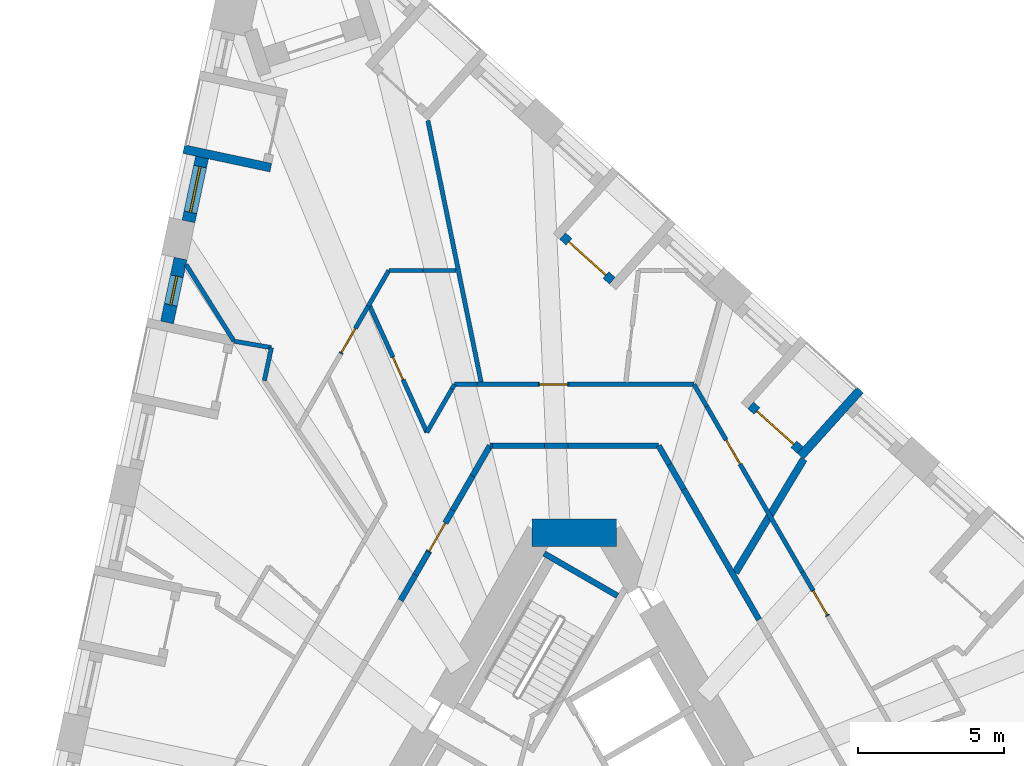
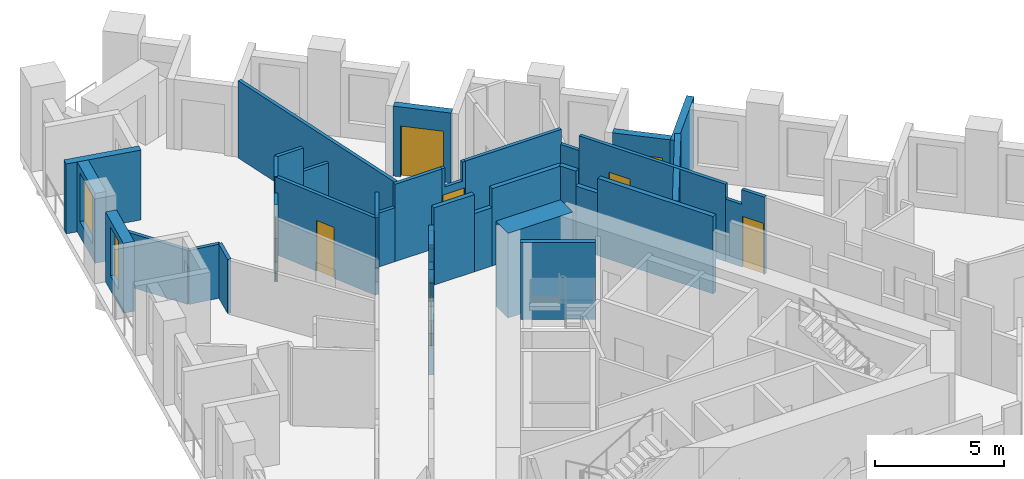
# One storey, part 8 of 13: 39 walls, 8 doors, 2 windows, 10 openings.
"""IFC4 building model written with IfcOpenShell, lengths in metres."""

from ifc_helpers import new_model, si_unit, direction, frame, frame_2d, origin, place, context, subcontext, project, spatial, polyline, rectangle, outline, extrude, material, layer, layer_set, type_object, element, fill, save


model = new_model("IFC4")

# Units and contexts
model_context = context("Model", 3, precision=1e-05, world=origin(), true_north=direction((0.0, 1.0)))
body_context = subcontext(model_context, "Body", "Model", "MODEL_VIEW")
ifc_project = project(units=[si_unit("LENGTHUNIT", "METRE"), si_unit("AREAUNIT", "SQUARE_METRE"), si_unit("VOLUMEUNIT", "CUBIC_METRE"), si_unit("PLANEANGLEUNIT", "RADIAN"), si_unit("MASSUNIT", "GRAM", prefix="KILO")], contexts=[model_context])

# Site, building, storey
site_placement = place(None, origin())
site = spatial("IfcSite", under=ifc_project, at=site_placement, CompositionType="ELEMENT")
building_placement = place(site_placement, origin())
building = spatial("IfcBuilding", under=site, at=building_placement, Name="Tramontana Tower", CompositionType="ELEMENT")
storey_placement = place(building_placement, frame((0.0, 0.0, 100.39990234375)))
storey = spatial("IfcBuildingStorey", under=building, at=storey_placement, Name="L22", CompositionType="ELEMENT", Elevation=100.39990234375)

# Walls
ifc_material_1 = material(Name="Concrete 70 MPa", Category="concrete")
ifc_layer_1 = layer(ifc_material_1, 0.949951171875)
ifc_layer_set_1 = layer_set([ifc_layer_1], Name="Core wall 950 70 MPa")
wall_type_1 = type_object("IfcWallType", Name="Core wall 950 70 MPa", PredefinedType="SHEAR", material=ifc_layer_set_1)
wall_1_placement = place(storey_placement, frame((1.443359375, 10.52490234375, 0.0), z_axis=(0.0, 0.0, 1.0), x_axis=(-1.0, 0.0, 0.0)))
element("IfcWall", 1, at=wall_1_placement, inside=storey, type_object=wall_type_1, Name="Core wall C0 L22", PredefinedType="SHEAR", context=body_context, shape_type="SweptSolid", body=[
    extrude(rectangle(XDim=2.88671875, YDim=0.949951171875, at=frame_2d((1.443359375, 0.0))), origin(), (0.0, 0.0, 1.0), 4.0),
])
ifc_material_2 = material(Name="Blockwork", Category="masonry")
ifc_layer_2 = layer(ifc_material_2, 0.199951171875)
ifc_layer_set_2 = layer_set([ifc_layer_2], Name="ENTRY WALL 200")
wall_type_2 = type_object("IfcWallType", Name="ENTRY WALL 200", PredefinedType="SOLIDWALL", material=ifc_layer_set_2)
wall_2_placement = place(storey_placement, frame((2.88671875, 13.5, 0.0), z_axis=(0.0, 0.0, 1.0), x_axis=(0.499987686533, -0.866032512851, 0.0)))
element("IfcWall", 2, at=wall_2_placement, inside=storey, type_object=wall_type_2, Name="Wall v21-ew0-0", PredefinedType="SOLIDWALL", context=body_context, shape_type="SweptSolid", body=[
    extrude(rectangle(XDim=0.74365234375, YDim=0.199951171875, at=frame_2d((0.371826171875, 0.0))), origin(), (0.0, 0.0, 1.0), 3.650146484375),
])
wall_3_placement = place(storey_placement, frame((3.258544921875, 12.85595703125, 0.0), z_axis=(0.0, 0.0, 1.0), x_axis=(0.500061185694, -0.865990075325, 0.0)))
element("IfcWall", 3, at=wall_3_placement, inside=storey, type_object=wall_type_2, Name="Wall v21-ew0-1", PredefinedType="SOLIDWALL", context=body_context, shape_type="SweptSolid", body=[
    extrude(rectangle(XDim=0.9775390625, YDim=0.199951171875, at=frame_2d((0.48876953125, 0.0))), origin(), (0.0, 0.0, 1.0), 2.9501953125),
])
wall_4_placement = place(storey_placement, frame((3.747314453125, 12.009521484375, 0.0), z_axis=(0.0, 0.0, 1.0), x_axis=(0.500001317485, -0.866024643133, 0.0)))
element("IfcWall", 4, at=wall_4_placement, inside=storey, type_object=wall_type_2, Name="Wall v21-ew0-2", PredefinedType="SOLIDWALL", context=body_context, shape_type="SweptSolid", body=[
    extrude(rectangle(XDim=5.1533203125, YDim=0.199951171875, at=frame_2d((2.57666015625, 0.0))), origin(), (0.0, 0.0, 1.0), 3.650146484375),
])
wall_5_placement = place(storey_placement, frame((-5.944091796875, 8.20458984375, 0.0), z_axis=(0.0, 0.0, 1.0), x_axis=(0.500051323872, 0.865995769906, 0.0)))
element("IfcWall", 5, at=wall_5_placement, inside=storey, type_object=wall_type_2, Name="Wall v21-ew4-7", PredefinedType="SOLIDWALL", context=body_context, shape_type="SweptSolid", body=[
    extrude(rectangle(XDim=1.0068359375, YDim=0.199951171875, at=frame_2d((0.50341796875, 0.0))), origin(), (0.0, 0.0, 1.0), 2.550048828125),
])
wall_6_placement = place(storey_placement, frame((-5.440673828125, 9.076416015625, 0.0), z_axis=(0.0, 0.0, 1.0), x_axis=(0.499902469156, 0.866081705922, 0.0)))
element("IfcWall", 6, at=wall_6_placement, inside=storey, type_object=wall_type_2, Name="Wall v21-ew4-8", PredefinedType="SOLIDWALL", context=body_context, shape_type="SweptSolid", body=[
    extrude(rectangle(XDim=0.900146484375, YDim=0.199951171875, at=frame_2d((0.4501953125, 0.0))), origin(), (0.0, 0.0, 1.0), 3.650146484375),
])

# Wall, opening, door
wall_7_placement = place(storey_placement, frame((-4.99072265625, 9.85595703125, 0.0), z_axis=(0.0, 0.0, 1.0), x_axis=(0.500088396166, 0.865974362219, 0.0)))
wall_7 = element("IfcWall", 7, at=wall_7_placement, inside=storey, type_object=wall_type_2, Name="Wall v21-ew4-9", PredefinedType="SOLIDWALL", context=body_context, shape_type="SweptSolid", body=[
    extrude(outline(polyline([(0.0, 0.0), (1.655517578125, 0.0), (1.655517578125, 2.550048828125), (0.519287109375, 2.550048828125), (0.519287109375, 3.650146484375), (0.0, 3.650146484375), (0.0, 0.0)])), frame((0.0, 0.10009765625, 0.0), z_axis=(0.0, -1.0, 0.0), x_axis=(1.0, 0.0, 0.0)), (0.0, 0.0, 1.0), 0.199951171875),
])
opening_1_placement = place(wall_7_placement, frame((0.050048828125, 0.0, 0.0)))
opening_1 = element("IfcOpeningElement", 8, at=opening_1_placement, cuts=wall_7, Name="Opening B2B-26", PredefinedType="OPENING", context=body_context, shape_type="SweptSolid", body=[
    extrude(rectangle(XDim=1.10009765625, YDim=2.39990234375, at=frame_2d((0.550048828125, 1.199951171875))), frame((0.0, 0.10986328125, 0.0), z_axis=(0.0, -1.0, 0.0), x_axis=(1.0, 0.0, 0.0)), (0.0, 0.0, 1.0), 0.219970703125),
])
ifc_material_3 = material(Name="Painted timber", Category="wood")
door_type_1 = type_object("IfcDoorType", Name="DOOR ENTRY 1100", OperationType="SINGLE_SWING_LEFT", PredefinedType="DOOR", material=ifc_material_3)
door_1_placement = place(opening_1_placement, origin())
door_1 = element("IfcDoor", 9, at=door_1_placement, inside=storey, type_object=door_type_1, Name="Door B2B-26", OperationType="SINGLE_SWING_RIGHT", OverallHeight=2.39990234375, OverallWidth=1.10009765625, PredefinedType="DOOR", context=body_context, shape_type="SweptSolid", body=[
    extrude(rectangle(XDim=1.10009765625, YDim=2.39990234375, at=frame_2d((0.550048828125, 1.199951171875))), frame((0.0, 0.02490234375, 0.0), z_axis=(0.0, -1.0, 0.0), x_axis=(1.0, 0.0, 0.0)), (0.0, 0.0, 1.0), 0.050048828125),
])
fill(opening_1, door_1)

# Walls
wall_8_placement = place(storey_placement, frame((-4.162841796875, 11.28955078125, 0.0), z_axis=(0.0, 0.0, 1.0), x_axis=(0.499903734186, 0.866080975745, 0.0)))
element("IfcWall", 10, at=wall_8_placement, inside=storey, type_object=wall_type_2, Name="Wall v21-ew4-10", PredefinedType="SOLIDWALL", context=body_context, shape_type="SweptSolid", body=[
    extrude(rectangle(XDim=1.360107421875, YDim=0.199951171875, at=frame_2d((0.68017578125, 0.0))), origin(), (0.0, 0.0, 1.0), 3.650146484375),
])
wall_9_placement = place(storey_placement, frame((-3.48291015625, 12.467529296875, 0.0), z_axis=(0.0, 0.0, 1.0), x_axis=(0.500059236744, 0.865991200733, 0.0)))
element("IfcWall", 11, at=wall_9_placement, inside=storey, type_object=wall_type_2, Name="Wall v21-ew4-11", PredefinedType="SOLIDWALL", context=body_context, shape_type="SweptSolid", body=[
    extrude(rectangle(XDim=1.192138671875, YDim=0.199951171875, at=frame_2d((0.59619140625, 0.0))), origin(), (0.0, 0.0, 1.0), 2.550048828125),
])
wall_10_placement = place(storey_placement, frame((-2.88671875, 13.5, 0.0), z_axis=(0.0, 0.0, 1.0), x_axis=(1.0, 0.0, 0.0)))
element("IfcWall", 12, at=wall_10_placement, inside=storey, type_object=wall_type_2, Name="Wall v21-ew5-0", PredefinedType="SOLIDWALL", context=body_context, shape_type="SweptSolid", body=[
    extrude(rectangle(XDim=0.079833984375, YDim=0.199951171875, at=frame_2d((0.0400390625, 0.0))), origin(), (0.0, 0.0, 1.0), 2.550048828125),
])
wall_11_placement = place(storey_placement, frame((-2.806884765625, 13.5, 0.0), z_axis=(0.0, 0.0, 1.0), x_axis=(1.0, 0.0, 0.0)))
element("IfcWall", 13, at=wall_11_placement, inside=storey, type_object=wall_type_2, Name="Wall v21-ew5-1", PredefinedType="SOLIDWALL", context=body_context, shape_type="SweptSolid", body=[
    extrude(rectangle(XDim=1.7880859375, YDim=0.199951171875, at=frame_2d((0.89404296875, 0.0))), origin(), (0.0, 0.0, 1.0), 3.650146484375),
])
wall_12_placement = place(storey_placement, frame((-1.018798828125, 13.5, 0.0), z_axis=(0.0, 0.0, 1.0), x_axis=(1.0, 0.0, 0.0)))
element("IfcWall", 14, at=wall_12_placement, inside=storey, type_object=wall_type_2, Name="Wall v21-ew5-2", PredefinedType="SOLIDWALL", context=body_context, shape_type="SweptSolid", body=[
    extrude(rectangle(XDim=0.80078125, YDim=0.199951171875, at=frame_2d((0.400390625, 0.0))), origin(), (0.0, 0.0, 1.0), 2.75),
])
wall_13_placement = place(storey_placement, frame((-0.218017578125, 13.5, 0.0), z_axis=(0.0, 0.0, 1.0), x_axis=(1.0, 0.0, 0.0)))
element("IfcWall", 15, at=wall_13_placement, inside=storey, type_object=wall_type_2, Name="Wall v21-ew5-3", PredefinedType="SOLIDWALL", context=body_context, shape_type="SweptSolid", body=[
    extrude(rectangle(XDim=3.104736328125, YDim=0.199951171875, at=frame_2d((1.55224609375, 0.0))), origin(), (0.0, 0.0, 1.0), 3.650146484375),
])

# Wall, opening, window
ifc_material_4 = material(Name="Precast concrete 60 MPa", Category="concrete")
ifc_layer_3 = layer(ifc_material_4, 0.449951171875)
ifc_layer_set_3 = layer_set([ifc_layer_3], Name="Precast concrete 60 MPa, 450 mm")
wall_type_3 = type_object("IfcWallType", Name="EW1 Stone-faced precast wall 450", PredefinedType="SOLIDWALL", material=ifc_layer_set_3)
wall_14_placement = place(storey_placement, frame((-12.7451171875, 23.36767578125, 0.0), z_axis=(0.0, 0.0, 1.0), x_axis=(-0.207941001029, -0.978141370197, 0.0)))
wall_14 = element("IfcWall", 16, at=wall_14_placement, inside=storey, type_object=wall_type_3, Name="External wall L22 face 0 bay 1", PredefinedType="SOLIDWALL", context=body_context, shape_type="SweptSolid", body=[
    extrude(rectangle(XDim=2.236572265625, YDim=0.449951171875, at=frame_2d((1.1181640625, 0.0))), origin(), (0.0, 0.0, 1.0), 3.300048828125),
])
opening_2_placement = place(wall_14_placement, frame((0.318359375, 0.0, 0.699951171875)))
opening_2 = element("IfcOpeningElement", 17, at=opening_2_placement, cuts=wall_14, Name="Opening M1", PredefinedType="OPENING", context=body_context, shape_type="SweptSolid", body=[
    extrude(rectangle(XDim=1.60009765625, YDim=2.300048828125, at=frame_2d((0.800048828125, 1.14990234375))), frame((0.0, 0.23486328125, 0.0), z_axis=(0.0, -1.0, 0.0), x_axis=(1.0, 0.0, 0.0)), (0.0, 0.0, 1.0), 0.469970703125),
])
ifc_material_5 = material(Name="Aluminum frame, double glazing unit", Category="aluminium")
window_type_1 = type_object("IfcWindowType", Name="M1 Window 1.6 x 2.3", PartitioningType="SINGLE_PANEL", PredefinedType="WINDOW", material=ifc_material_5)
window_1_placement = place(opening_2_placement, origin())
window_1 = element("IfcWindow", 18, at=window_1_placement, inside=storey, type_object=window_type_1, Name="Window M1 L22 face 0 module 3", OverallHeight=2.300048828125, OverallWidth=1.60009765625, PartitioningType="SINGLE_PANEL", PredefinedType="WINDOW", context=body_context, shape_type="SweptSolid", body=[
    extrude(rectangle(XDim=1.60009765625, YDim=2.300048828125, at=frame_2d((0.800048828125, 1.14990234375))), frame((0.0, 0.030029296875, 0.0), z_axis=(0.0, -1.0, 0.0), x_axis=(1.0, 0.0, 0.0)), (0.0, 0.0, 1.0), 0.06005859375),
])
fill(opening_2, window_1)

wall_15_placement = place(storey_placement, frame((-13.48046875, 19.908203125, 0.0), z_axis=(0.0, 0.0, 1.0), x_axis=(-0.207941001029, -0.978141370197, 0.0)))
wall_15 = element("IfcWall", 19, at=wall_15_placement, inside=storey, type_object=wall_type_3, Name="External wall L22 face 0 bay 2", PredefinedType="SOLIDWALL", context=body_context, shape_type="SweptSolid", body=[
    extrude(rectangle(XDim=2.236572265625, YDim=0.449951171875, at=frame_2d((1.1181640625, 0.0))), origin(), (0.0, 0.0, 1.0), 3.300048828125),
])
opening_3_placement = place(wall_15_placement, frame((0.618408203125, 0.0, 0.699951171875)))
opening_3 = element("IfcOpeningElement", 20, at=opening_3_placement, cuts=wall_15, Name="Opening N1", PredefinedType="OPENING", context=body_context, shape_type="SweptSolid", body=[
    extrude(rectangle(XDim=1.0, YDim=2.300048828125, at=frame_2d((0.5, 1.14990234375))), frame((0.0, 0.23486328125, 0.0), z_axis=(0.0, -1.0, 0.0), x_axis=(1.0, 0.0, 0.0)), (0.0, 0.0, 1.0), 0.469970703125),
])
ifc_material_6 = material(Name="Aluminum frame, double glazing unit", Category="aluminium")
window_type_2 = type_object("IfcWindowType", Name="N1 Window 1 x 2.3", PartitioningType="SINGLE_PANEL", PredefinedType="WINDOW", material=ifc_material_6)
window_2_placement = place(opening_3_placement, origin())
window_2 = element("IfcWindow", 21, at=window_2_placement, inside=storey, type_object=window_type_2, Name="Window N1 L22 face 0 module 4", OverallHeight=2.300048828125, OverallWidth=1.0, PartitioningType="SINGLE_PANEL", PredefinedType="WINDOW", context=body_context, shape_type="SweptSolid", body=[
    extrude(rectangle(XDim=1.0, YDim=2.300048828125, at=frame_2d((0.5, 1.14990234375))), frame((0.0, 0.030029296875, 0.0), z_axis=(0.0, -1.0, 0.0), x_axis=(1.0, 0.0, 0.0)), (0.0, 0.0, 1.0), 0.06005859375),
])
fill(opening_3, window_2)

# Wall
ifc_material_7 = material(Name="Precast concrete 60 MPa", Category="concrete")
ifc_layer_4 = layer(ifc_material_7, 0.300048828125)
ifc_layer_set_4 = layer_set([ifc_layer_4], Name="LW1 Stone-faced loggia wall 300")
wall_type_4 = type_object("IfcWallType", Name="LW1 Stone-faced loggia wall 300", PredefinedType="SOLIDWALL", material=ifc_layer_set_4)
wall_16_placement = place(storey_placement, frame((-13.3740234375, 23.65478515625, 0.0), z_axis=(0.0, 0.0, 1.0), x_axis=(0.978151322619, -0.207894179953, 0.0)))
element("IfcWall", 22, at=wall_16_placement, inside=storey, type_object=wall_type_4, Name="Loggia return L22 G2S0.1b", PredefinedType="SOLIDWALL", context=body_context, shape_type="SweptSolid", body=[
    extrude(rectangle(XDim=3.0498046875, YDim=0.300048828125, at=frame_2d((1.52490234375, 0.0))), origin(), (0.0, 0.0, 1.0), 3.300048828125),
])

# Wall, opening, door
wall_17_placement = place(storey_placement, frame((7.735595703125, 13.353759765625, 0.0), z_axis=(0.0, 0.0, 1.0), x_axis=(-0.743081759278, 0.669200641832, 0.0)))
wall_17 = element("IfcWall", 23, at=wall_17_placement, inside=storey, type_object=wall_type_4, Name="Loggia wall L22 G2S2.10", PredefinedType="SOLIDWALL", context=body_context, shape_type="SweptSolid", body=[
    extrude(rectangle(XDim=2.28662109375, YDim=0.300048828125, at=frame_2d((1.143310546875, 0.0))), origin(), (0.0, 0.0, 1.0), 3.300048828125),
])
opening_4_placement = place(wall_17_placement, frame((0.29345703125, 0.0, 0.0)))
opening_4 = element("IfcOpeningElement", 24, at=opening_4_placement, cuts=wall_17, Name="Opening BD-2S2-10", PredefinedType="OPENING", context=body_context, shape_type="SweptSolid", body=[
    extrude(rectangle(XDim=1.699951171875, YDim=2.39990234375, at=frame_2d((0.85009765625, 1.199951171875))), frame((0.0, 0.159912109375, 0.0), z_axis=(0.0, -1.0, 0.0), x_axis=(1.0, 0.0, 0.0)), (0.0, 0.0, 1.0), 0.320068359375),
])
ifc_material_8 = material(Name="Aluminum frame, double glazing unit", Category="aluminium")
door_type_2 = type_object("IfcDoorType", Name="BD1 Sliding door 1.7 x 2.4", OperationType="SLIDING_TO_LEFT", PredefinedType="DOOR", material=ifc_material_8)
door_2_placement = place(opening_4_placement, origin())
door_2 = element("IfcDoor", 25, at=door_2_placement, inside=storey, type_object=door_type_2, Name="Loggia door L22 G2S2.10", OperationType="SLIDING_TO_LEFT", OverallHeight=2.39990234375, OverallWidth=1.699951171875, PredefinedType="DOOR", context=body_context, shape_type="SweptSolid", body=[
    extrude(rectangle(XDim=1.699951171875, YDim=2.39990234375, at=frame_2d((0.85009765625, 1.199951171875))), frame((0.0, 0.02490234375, 0.0), z_axis=(0.0, -1.0, 0.0), x_axis=(1.0, 0.0, 0.0)), (0.0, 0.0, 1.0), 0.050048828125),
])
fill(opening_4, door_2)

# Wall
wall_18_placement = place(storey_placement, frame((9.78759765625, 15.40869140625, 0.0), z_axis=(0.0, 0.0, 1.0), x_axis=(-0.669115082961, -0.743158802514, 0.0)))
element("IfcWall", 26, at=wall_18_placement, inside=storey, type_object=wall_type_4, Name="Loggia return L22 G2S2.10a", PredefinedType="SOLIDWALL", context=body_context, shape_type="SweptSolid", body=[
    extrude(rectangle(XDim=3.050048828125, YDim=0.300048828125, at=frame_2d((1.52490234375, 0.0))), origin(), (0.0, 0.0, 1.0), 3.300048828125),
])

# Wall, opening, door
wall_19_placement = place(storey_placement, frame((1.2998046875, 19.148681640625, 0.0), z_axis=(0.0, 0.0, 1.0), x_axis=(-0.743182653308, 0.669088591909, 0.0)))
wall_19 = element("IfcWall", 27, at=wall_19_placement, inside=storey, type_object=wall_type_4, Name="Loggia wall L22 G2S2.13", PredefinedType="SOLIDWALL", context=body_context, shape_type="SweptSolid", body=[
    extrude(rectangle(XDim=2.28662109375, YDim=0.300048828125, at=frame_2d((1.143310546875, 0.0))), origin(), (0.0, 0.0, 1.0), 3.300048828125),
])
opening_5_placement = place(wall_19_placement, frame((0.29345703125, 0.0, 0.0)))
opening_5 = element("IfcOpeningElement", 28, at=opening_5_placement, cuts=wall_19, Name="Opening BD-2S2-13", PredefinedType="OPENING", context=body_context, shape_type="SweptSolid", body=[
    extrude(rectangle(XDim=1.699951171875, YDim=2.39990234375, at=frame_2d((0.85009765625, 1.199951171875))), frame((0.0, 0.159912109375, 0.0), z_axis=(0.0, -1.0, 0.0), x_axis=(1.0, 0.0, 0.0)), (0.0, 0.0, 1.0), 0.320068359375),
])
door_3_placement = place(opening_5_placement, origin())
door_3 = element("IfcDoor", 29, at=door_3_placement, inside=storey, type_object=door_type_2, Name="Loggia door L22 G2S2.13", OperationType="SLIDING_TO_LEFT", OverallHeight=2.39990234375, OverallWidth=1.699951171875, PredefinedType="DOOR", context=body_context, shape_type="SweptSolid", body=[
    extrude(rectangle(XDim=1.699951171875, YDim=2.39990234375, at=frame_2d((0.85009765625, 1.199951171875))), frame((0.0, 0.02490234375, 0.0), z_axis=(0.0, -1.0, 0.0), x_axis=(1.0, 0.0, 0.0)), (0.0, 0.0, 1.0), 0.050048828125),
])
fill(opening_5, door_3)

# Walls
ifc_material_9 = material(Name="Gypsum board partition")
ifc_layer_5 = layer(ifc_material_9, 0.14990234375)
ifc_layer_set_5 = layer_set([ifc_layer_5], Name="PARTITION 150")
wall_type_5 = type_object("IfcWallType", Name="PARTITION 150", PredefinedType="PARTITIONING", material=ifc_layer_set_5)
wall_20_placement = place(storey_placement, frame((-11.653564453125, 17.079833984375, 0.0), z_axis=(0.0, 0.0, 1.0), x_axis=(-0.529991848631, 0.848002736072, 0.0)))
element("IfcWall", 30, at=wall_20_placement, inside=storey, type_object=wall_type_5, Name="Wall v21-pw09-0", PredefinedType="PARTITIONING", context=body_context, shape_type="SweptSolid", body=[
    extrude(rectangle(XDim=3.0947265625, YDim=0.14990234375, at=frame_2d((1.54736328125, 0.0))), origin(), (0.0, 0.0, 1.0), 2.550048828125),
])
wall_21_placement = place(storey_placement, frame((-10.611572265625, 15.728515625, 0.0), z_axis=(0.0, 0.0, 1.0), x_axis=(0.207866350726, 0.97815723697, 0.0)))
element("IfcWall", 31, at=wall_21_placement, inside=storey, type_object=wall_type_5, Name="Wall v21-pw13-0", PredefinedType="PARTITIONING", context=body_context, shape_type="SweptSolid", body=[
    extrude(rectangle(XDim=1.1533203125, YDim=0.14990234375, at=frame_2d((0.57666015625, 0.0))), origin(), (0.0, 0.0, 1.0), 2.550048828125),
])
wall_22_placement = place(storey_placement, frame((-10.373291015625, 16.859130859375, 0.0), z_axis=(0.0, 0.0, 1.0), x_axis=(-0.985464455429, 0.169881744414, 0.0)))
element("IfcWall", 32, at=wall_22_placement, inside=storey, type_object=wall_type_5, Name="Wall v21-pw15-0", PredefinedType="PARTITIONING", context=body_context, shape_type="SweptSolid", body=[
    extrude(rectangle(XDim=1.299072265625, YDim=0.14990234375, at=frame_2d((0.6494140625, 0.0))), origin(), (0.0, 0.0, 1.0), 2.550048828125),
])

# Wall, opening, door
wall_23_placement = place(storey_placement, frame((-7.996337890625, 16.64990234375, 0.0), z_axis=(0.0, 0.0, 1.0), x_axis=(0.499962016178, 0.866047332643, 0.0)))
wall_23 = element("IfcWall", 33, at=wall_23_placement, inside=storey, type_object=wall_type_5, Name="Wall v21-pw18-2", PredefinedType="PARTITIONING", context=body_context, shape_type="SweptSolid", body=[
    extrude(outline(polyline([(0.0, 0.0), (1.882080078125, 0.0), (1.8818359375, 2.550048828125), (0.777099609375, 2.550048828125), (0.777099609375, 3.650146484375), (0.0, 3.650146484375), (0.0, 0.0)])), frame((0.0, 0.074951171875, 0.0), z_axis=(0.0, -1.0, 0.0), x_axis=(1.0, 0.0, 0.0)), (0.0, 0.0, 1.0), 0.14990234375),
])
opening_6_placement = place(wall_23_placement, frame((0.050048828125, 0.0, 0.0)))
opening_6 = element("IfcOpeningElement", 34, at=opening_6_placement, cuts=wall_23, Name="Opening B2B-03", PredefinedType="OPENING", context=body_context, shape_type="SweptSolid", body=[
    extrude(rectangle(XDim=0.949951171875, YDim=2.39990234375, at=frame_2d((0.47509765625, 1.199951171875))), frame((0.0, 0.0849609375, 0.0), z_axis=(0.0, -1.0, 0.0), x_axis=(1.0, 0.0, 0.0)), (0.0, 0.0, 1.0), 0.169921875),
])
ifc_material_10 = material(Name="Painted timber", Category="wood")
door_type_3 = type_object("IfcDoorType", Name="DOOR ROOM 950", OperationType="SINGLE_SWING_LEFT", PredefinedType="DOOR", material=ifc_material_10)
door_4_placement = place(opening_6_placement, origin())
door_4 = element("IfcDoor", 35, at=door_4_placement, inside=storey, type_object=door_type_3, Name="Door B2B-03", OperationType="SINGLE_SWING_LEFT", OverallHeight=2.39990234375, OverallWidth=0.949951171875, PredefinedType="DOOR", context=body_context, shape_type="SweptSolid", body=[
    extrude(rectangle(XDim=0.949951171875, YDim=2.39990234375, at=frame_2d((0.47509765625, 1.199951171875))), frame((0.0, 0.02490234375, 0.0), z_axis=(0.0, -1.0, 0.0), x_axis=(1.0, 0.0, 0.0)), (0.0, 0.0, 1.0), 0.050048828125),
])
fill(opening_6, door_4)

# Wall
wall_24_placement = place(storey_placement, frame((-7.055419921875, 18.27978515625, 0.0), z_axis=(0.0, 0.0, 1.0), x_axis=(0.500052415518, 0.865995139556, 0.0)))
element("IfcWall", 36, at=wall_24_placement, inside=storey, type_object=wall_type_5, Name="Wall v21-pw18-3", PredefinedType="PARTITIONING", context=body_context, shape_type="SweptSolid", body=[
    extrude(rectangle(XDim=1.408935546875, YDim=0.14990234375, at=frame_2d((0.70458984375, 0.0))), origin(), (0.0, 0.0, 1.0), 3.650146484375),
])

# Wall, opening, door
wall_25_placement = place(storey_placement, frame((-7.02392578125, 18.328125, 0.0), z_axis=(0.0, 0.0, 1.0), x_axis=(0.41197154639, -0.911196710357, 0.0)))
wall_25 = element("IfcWall", 37, at=wall_25_placement, inside=storey, type_object=wall_type_5, Name="Wall v21-pw24", PredefinedType="PARTITIONING", context=body_context, shape_type="SweptSolid", body=[
    extrude(rectangle(XDim=4.79296875, YDim=0.14990234375, at=frame_2d((2.396484375, 0.0))), origin(), (0.0, 0.0, 1.0), 3.650146484375),
])
opening_7_placement = place(wall_25_placement, frame((1.9716796875, 0.0, 0.0)))
opening_7 = element("IfcOpeningElement", 38, at=opening_7_placement, cuts=wall_25, Name="Opening B2B-02", PredefinedType="OPENING", context=body_context, shape_type="SweptSolid", body=[
    extrude(rectangle(XDim=0.85009765625, YDim=2.39990234375, at=frame_2d((0.425048828125, 1.199951171875))), frame((0.0, 0.0849609375, 0.0), z_axis=(0.0, -1.0, 0.0), x_axis=(1.0, 0.0, 0.0)), (0.0, 0.0, 1.0), 0.169921875),
])
ifc_material_11 = material(Name="Painted timber", Category="wood")
door_type_4 = type_object("IfcDoorType", Name="DOOR BATH 850", OperationType="SINGLE_SWING_LEFT", PredefinedType="DOOR", material=ifc_material_11)
door_5_placement = place(opening_7_placement, origin())
door_5 = element("IfcDoor", 39, at=door_5_placement, inside=storey, type_object=door_type_4, Name="Door B2B-02", OperationType="SINGLE_SWING_RIGHT", OverallHeight=2.39990234375, OverallWidth=0.85009765625, PredefinedType="DOOR", context=body_context, shape_type="SweptSolid", body=[
    extrude(rectangle(XDim=0.85009765625, YDim=2.39990234375, at=frame_2d((0.425048828125, 1.199951171875))), frame((0.0, 0.02490234375, 0.0), z_axis=(0.0, -1.0, 0.0), x_axis=(1.0, 0.0, 0.0)), (0.0, 0.0, 1.0), 0.050048828125),
])
fill(opening_7, door_5)

# Walls
wall_26_placement = place(storey_placement, frame((-6.350830078125, 19.5, 0.0), z_axis=(0.0, 0.0, 1.0), x_axis=(1.0, 0.0, 0.0)))
element("IfcWall", 40, at=wall_26_placement, inside=storey, type_object=wall_type_5, Name="Wall v21-pw27-0", PredefinedType="PARTITIONING", context=body_context, shape_type="SweptSolid", body=[
    extrude(rectangle(XDim=1.177490234375, YDim=0.14990234375, at=frame_2d((0.5888671875, 0.0))), origin(), (0.0, 0.0, 1.0), 3.650146484375),
])
wall_27_placement = place(storey_placement, frame((-5.17333984375, 19.5, 0.0), z_axis=(0.0, 0.0, 1.0), x_axis=(1.0, 0.0, 0.0)))
element("IfcWall", 41, at=wall_27_placement, inside=storey, type_object=wall_type_5, Name="Wall v21-pw27-1", PredefinedType="PARTITIONING", context=body_context, shape_type="SweptSolid", body=[
    extrude(rectangle(XDim=1.127685546875, YDim=0.14990234375, at=frame_2d((0.56396484375, 0.0))), origin(), (0.0, 0.0, 1.0), 2.550048828125),
])
wall_28_placement = place(storey_placement, frame((-5.0458984375, 13.96044921875, 0.0), z_axis=(0.0, 0.0, 1.0), x_axis=(0.500068347527, 0.865985939725, 0.0)))
element("IfcWall", 42, at=wall_28_placement, inside=storey, type_object=wall_type_5, Name="Wall v21-pw29-0", PredefinedType="PARTITIONING", context=body_context, shape_type="SweptSolid", body=[
    extrude(rectangle(XDim=1.710693359375, YDim=0.14990234375, at=frame_2d((0.85546875, 0.0))), origin(), (0.0, 0.0, 1.0), 3.650146484375),
])
wall_29_placement = place(storey_placement, frame((-4.1904296875, 15.44189453125, 0.0), z_axis=(0.0, 0.0, 1.0), x_axis=(0.50045593687, 0.865762008436, 0.0)))
element("IfcWall", 43, at=wall_29_placement, inside=storey, type_object=wall_type_5, Name="Wall v21-pw29-1", PredefinedType="PARTITIONING", context=body_context, shape_type="SweptSolid", body=[
    extrude(rectangle(XDim=0.182373046875, YDim=0.14990234375, at=frame_2d((0.09130859375, 0.0))), origin(), (0.0, 0.0, 1.0), 2.550048828125),
])
wall_30_placement = place(storey_placement, frame((-5.013427734375, 24.63134765625, 0.0), z_axis=(0.0, 0.0, 1.0), x_axis=(0.199453921503, -0.979907206422, 0.0)))
element("IfcWall", 44, at=wall_30_placement, inside=storey, type_object=wall_type_5, Name="Wall v21-pw30", PredefinedType="PARTITIONING", context=body_context, shape_type="SweptSolid", body=[
    extrude(rectangle(XDim=9.139892578125, YDim=0.14990234375, at=frame_2d((4.56982421875, 0.0))), origin(), (0.0, 0.0, 1.0), 3.650146484375),
])
wall_31_placement = place(storey_placement, frame((-4.09912109375, 15.60009765625, 0.0), z_axis=(0.0, 0.0, 1.0), x_axis=(1.0, 0.0, 0.0)))
element("IfcWall", 45, at=wall_31_placement, inside=storey, type_object=wall_type_5, Name="Wall v21-pw31-0", PredefinedType="PARTITIONING", context=body_context, shape_type="SweptSolid", body=[
    extrude(rectangle(XDim=0.770751953125, YDim=0.14990234375, at=frame_2d((0.38525390625, 0.0))), origin(), (0.0, 0.0, 1.0), 2.550048828125),
])
wall_32_placement = place(storey_placement, frame((-3.328369140625, 15.60009765625, 0.0), z_axis=(0.0, 0.0, 1.0), x_axis=(1.0, 0.0, 0.0)))
element("IfcWall", 46, at=wall_32_placement, inside=storey, type_object=wall_type_5, Name="Wall v21-pw31-1", PredefinedType="PARTITIONING", context=body_context, shape_type="SweptSolid", body=[
    extrude(rectangle(XDim=2.09423828125, YDim=0.14990234375, at=frame_2d((1.047119140625, 0.0))), origin(), (0.0, 0.0, 1.0), 3.650146484375),
])

# Wall, opening, door
wall_33_placement = place(storey_placement, frame((-1.234130859375, 15.60009765625, 0.0), z_axis=(0.0, 0.0, 1.0), x_axis=(1.0, 0.0, 0.0)))
wall_33 = element("IfcWall", 47, at=wall_33_placement, inside=storey, type_object=wall_type_5, Name="Wall v21-pw31-2", PredefinedType="PARTITIONING", context=body_context, shape_type="SweptSolid", body=[
    extrude(outline(polyline([(0.0, 0.0), (1.050048828125, 0.0), (1.050048828125, 3.650146484375), (0.907470703125, 3.650146484375), (0.907470703125, 2.75), (0.131591796875, 2.75), (0.131591796875, 3.650146484375), (0.0, 3.650146484375), (0.0, 0.0)])), frame((0.0, 0.074951171875, 0.0), z_axis=(0.0, -1.0, 0.0), x_axis=(1.0, 0.0, 0.0)), (0.0, 0.0, 1.0), 0.14990234375),
])
opening_8_placement = place(wall_33_placement, frame((0.050048828125, 0.0, 0.0)))
opening_8 = element("IfcOpeningElement", 48, at=opening_8_placement, cuts=wall_33, Name="Opening B2B-04", PredefinedType="OPENING", context=body_context, shape_type="SweptSolid", body=[
    extrude(rectangle(XDim=0.949951171875, YDim=2.39990234375, at=frame_2d((0.47509765625, 1.199951171875))), frame((0.0, 0.0849609375, 0.0), z_axis=(0.0, -1.0, 0.0), x_axis=(1.0, 0.0, 0.0)), (0.0, 0.0, 1.0), 0.169921875),
])
door_6_placement = place(opening_8_placement, origin())
door_6 = element("IfcDoor", 49, at=door_6_placement, inside=storey, type_object=door_type_3, Name="Door B2B-04", OperationType="SINGLE_SWING_RIGHT", OverallHeight=2.39990234375, OverallWidth=0.949951171875, PredefinedType="DOOR", context=body_context, shape_type="SweptSolid", body=[
    extrude(rectangle(XDim=0.949951171875, YDim=2.39990234375, at=frame_2d((0.47509765625, 1.199951171875))), frame((0.0, 0.02490234375, 0.0), z_axis=(0.0, -1.0, 0.0), x_axis=(1.0, 0.0, 0.0)), (0.0, 0.0, 1.0), 0.050048828125),
])
fill(opening_8, door_6)

# Walls
wall_34_placement = place(storey_placement, frame((-0.18408203125, 15.60009765625, 0.0), z_axis=(0.0, 0.0, 1.0), x_axis=(1.0, 0.0, 0.0)))
element("IfcWall", 50, at=wall_34_placement, inside=storey, type_object=wall_type_5, Name="Wall v21-pw31-3", PredefinedType="PARTITIONING", context=body_context, shape_type="SweptSolid", body=[
    extrude(rectangle(XDim=4.283203125, YDim=0.14990234375, at=frame_2d((2.1416015625, 0.0))), origin(), (0.0, 0.0, 1.0), 3.650146484375),
])
wall_35_placement = place(storey_placement, frame((4.09912109375, 15.599853515625, 0.0), z_axis=(0.0, 0.0, 1.0), x_axis=(0.500216765549, -0.86590021796, 0.0)))
element("IfcWall", 51, at=wall_35_placement, inside=storey, type_object=wall_type_5, Name="Wall v21-pw40-0", PredefinedType="PARTITIONING", context=body_context, shape_type="SweptSolid", body=[
    extrude(rectangle(XDim=0.869140625, YDim=0.14990234375, at=frame_2d((0.4345703125, 0.0))), origin(), (0.0, 0.0, 1.0), 2.9501953125),
])

# Wall, opening, door
wall_36_placement = place(storey_placement, frame((4.533935546875, 14.84716796875, 0.0), z_axis=(0.0, 0.0, 1.0), x_axis=(0.499992467015, -0.866029752912, 0.0)))
wall_36 = element("IfcWall", 52, at=wall_36_placement, inside=storey, type_object=wall_type_5, Name="Wall v21-pw40-1", PredefinedType="PARTITIONING", context=body_context, shape_type="SweptSolid", body=[
    extrude(rectangle(XDim=6.54833984375, YDim=0.14990234375, at=frame_2d((3.274169921875, 0.0))), origin(), (0.0, 0.0, 1.0), 3.650146484375),
])
opening_9_placement = place(wall_36_placement, frame((1.330810546875, 0.0, 0.0)))
opening_9 = element("IfcOpeningElement", 53, at=opening_9_placement, cuts=wall_36, Name="Opening B2B-05", PredefinedType="OPENING", context=body_context, shape_type="SweptSolid", body=[
    extrude(rectangle(XDim=0.949951171875, YDim=2.39990234375, at=frame_2d((0.47509765625, 1.199951171875))), frame((0.0, 0.0849609375, 0.0), z_axis=(0.0, -1.0, 0.0), x_axis=(1.0, 0.0, 0.0)), (0.0, 0.0, 1.0), 0.169921875),
])
door_7_placement = place(opening_9_placement, origin())
door_7 = element("IfcDoor", 54, at=door_7_placement, inside=storey, type_object=door_type_3, Name="Door B2B-05", OperationType="SINGLE_SWING_LEFT", OverallHeight=2.39990234375, OverallWidth=0.949951171875, PredefinedType="DOOR", context=body_context, shape_type="SweptSolid", body=[
    extrude(rectangle(XDim=0.949951171875, YDim=2.39990234375, at=frame_2d((0.47509765625, 1.199951171875))), frame((0.0, 0.02490234375, 0.0), z_axis=(0.0, -1.0, 0.0), x_axis=(1.0, 0.0, 0.0)), (0.0, 0.0, 1.0), 0.050048828125),
])
fill(opening_9, door_7)

wall_37_placement = place(storey_placement, frame((7.80810546875, 9.176025390625, 0.0), z_axis=(0.0, 0.0, 1.0), x_axis=(0.500013671143, -0.866017510603, 0.0)))
wall_37 = element("IfcWall", 55, at=wall_37_placement, inside=storey, type_object=wall_type_5, Name="Wall v21-pw40-2", PredefinedType="PARTITIONING", context=body_context, shape_type="SweptSolid", body=[
    extrude(outline(polyline([(0.0, 0.0), (1.74169921875, 0.0), (1.74169921875, 3.650146484375), (0.709716796875, 3.650146484375), (0.709716796875, 2.9501953125), (0.0, 2.9501953125), (0.0, 0.0)])), frame((0.0, 0.074951171875, 0.0), z_axis=(0.0, -1.0, 0.0), x_axis=(1.0, 0.0, 0.0)), (0.0, 0.0, 1.0), 0.14990234375),
])
opening_10_placement = place(wall_37_placement, frame((0.74169921875, 0.0, 0.0)))
opening_10 = element("IfcOpeningElement", 56, at=opening_10_placement, cuts=wall_37, Name="Opening B2B-23", PredefinedType="OPENING", context=body_context, shape_type="SweptSolid", body=[
    extrude(rectangle(XDim=0.949951171875, YDim=2.39990234375, at=frame_2d((0.47509765625, 1.199951171875))), frame((0.0, 0.0849609375, 0.0), z_axis=(0.0, -1.0, 0.0), x_axis=(1.0, 0.0, 0.0)), (0.0, 0.0, 1.0), 0.169921875),
])
door_8_placement = place(opening_10_placement, origin())
door_8 = element("IfcDoor", 57, at=door_8_placement, inside=storey, type_object=door_type_3, Name="Door B2B-23", OperationType="SINGLE_SWING_LEFT", OverallHeight=2.39990234375, OverallWidth=0.949951171875, PredefinedType="DOOR", context=body_context, shape_type="SweptSolid", body=[
    extrude(rectangle(XDim=0.949951171875, YDim=2.39990234375, at=frame_2d((0.47509765625, 1.199951171875))), frame((0.0, 0.02490234375, 0.0), z_axis=(0.0, -1.0, 0.0), x_axis=(1.0, 0.0, 0.0)), (0.0, 0.0, 1.0), 0.050048828125),
])
fill(opening_10, door_8)

# Walls
ifc_material_12 = material(Name="Blockwork", Category="masonry")
ifc_layer_6 = layer(ifc_material_12, 0.25)
ifc_layer_set_6 = layer_set([ifc_layer_6], Name="PARTY WALL 250")
wall_type_6 = type_object("IfcWallType", Name="PARTY WALL 250", PredefinedType="SOLIDWALL", material=ifc_layer_set_6)
wall_38_placement = place(storey_placement, frame((7.858154296875, 13.04150390625, 0.0), z_axis=(0.0, 0.0, 1.0), x_axis=(-0.516122846291, -0.856514569366, 0.0)))
element("IfcWall", 58, at=wall_38_placement, inside=storey, type_object=wall_type_6, Name="Wall v21-pw42", PredefinedType="SOLIDWALL", context=body_context, shape_type="SweptSolid", body=[
    extrude(rectangle(XDim=4.54296875, YDim=0.25, at=frame_2d((2.271484375, 0.0))), origin(), (0.0, 0.0, 1.0), 3.650146484375),
])
ifc_material_13 = material(Name="Concrete 70 MPa", Category="concrete")
ifc_layer_7 = layer(ifc_material_13, 0.199951171875)
ifc_layer_set_7 = layer_set([ifc_layer_7], Name="Concrete 70 MPa, 200 mm")
wall_type_7 = type_object("IfcWallType", Name="RC STAIR AND SHAFT WALL 200", PredefinedType="SOLIDWALL", material=ifc_layer_set_7)
wall_39_placement = place(storey_placement, frame((1.478515625, 8.36083984375, 0.0), z_axis=(0.0, 0.0, 1.0), x_axis=(-0.866032775405, 0.499987231761, 0.0)))
element("IfcWall", 59, at=wall_39_placement, inside=storey, type_object=wall_type_7, Name="Wall st1-far", PredefinedType="SOLIDWALL", context=body_context, shape_type="SweptSolid", body=[
    extrude(rectangle(XDim=2.89990234375, YDim=0.199951171875, at=frame_2d((1.449951171875, 0.0))), origin(), (0.0, 0.0, 1.0), 3.650146484375),
])

save(model, "model.ifc")
